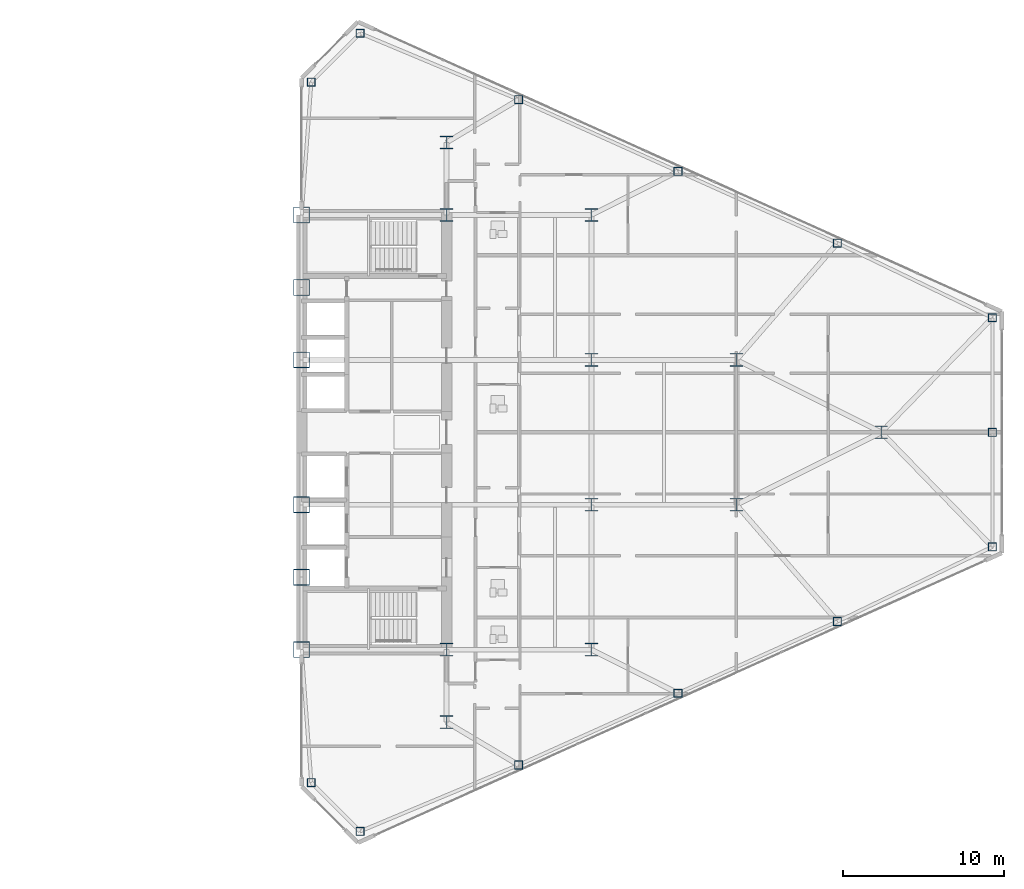
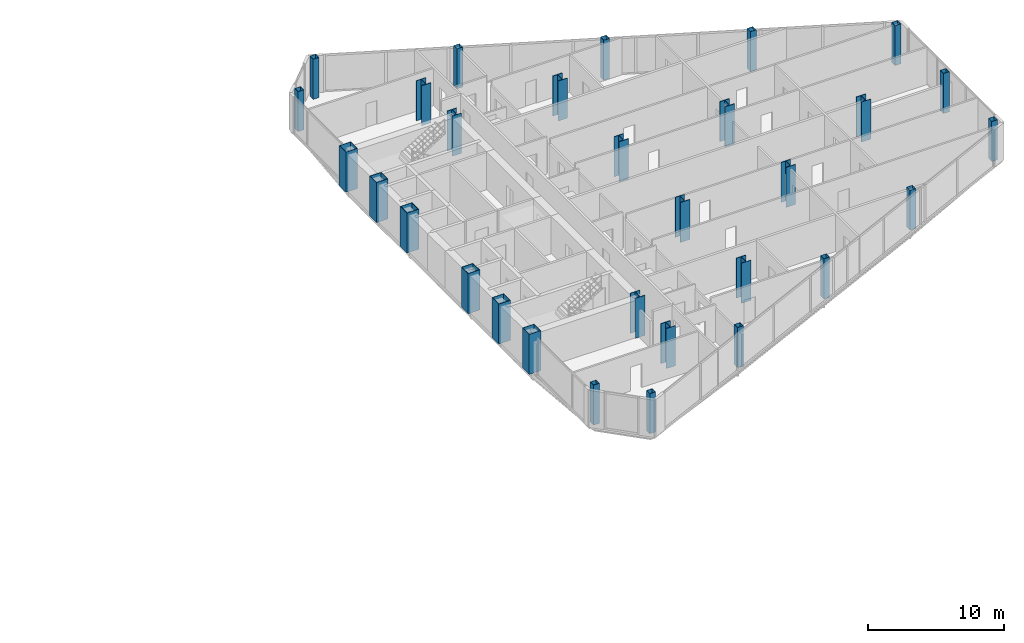
# One storey, part 2 of 27: 30 columns.
"""IFC4 building model written with IfcOpenShell, lengths in metres."""

from ifc_helpers import new_model, si_unit, direction, frame, origin, origin_2d, place, context, subcontext, project, spatial, hollow_rectangle, i_section, extrude, source, transform, mapped, material, material_profile, profile_set, type_object, type_shapes, element, save


model = new_model("IFC4")

# Units and contexts
model_context = context("Model", 3, precision=1e-05, world=origin(), true_north=direction((0.0, 1.0)))
body_context = subcontext(model_context, "Body", "Model", "MODEL_VIEW")
ifc_project = project(units=[si_unit("LENGTHUNIT", "METRE"), si_unit("AREAUNIT", "SQUARE_METRE"), si_unit("VOLUMEUNIT", "CUBIC_METRE"), si_unit("PLANEANGLEUNIT", "RADIAN"), si_unit("MASSUNIT", "GRAM", prefix="KILO")], contexts=[model_context])

# Site, building, storey
site_placement = place(None, origin())
site = spatial("IfcSite", under=ifc_project, at=site_placement, CompositionType="ELEMENT")
building_placement = place(site_placement, origin())
building = spatial("IfcBuilding", under=site, at=building_placement, Name="Seokmaru Belvedere", CompositionType="ELEMENT")
storey_placement = place(building_placement, frame((0.0, 0.0, 83.699951171875)))
storey = spatial("IfcBuildingStorey", under=building, at=storey_placement, Name="L22", CompositionType="ELEMENT", Elevation=83.699951171875)

# Columns
ifc_material_1 = material(Name="Steel SM355 (355 MPa)", Category="steel")
ifc_material_profile_1 = material_profile(ifc_material_1, hollow_rectangle(XDim=0.5, YDim=0.5, WallThickness=0.02001953125, at=origin_2d()), Name="HSS-500x500x20")
ifc_profile_set_1 = profile_set([ifc_material_profile_1], Name="Steel SM355 (355 MPa)")
column_type_1 = type_object("IfcColumnType", Name="Perimeter Facet Column HSS-500", PredefinedType="COLUMN", material=ifc_profile_set_1)
shared_shape_1 = source(origin(), body_context, "Body", "SweptSolid", [
    extrude(hollow_rectangle(XDim=0.5, YDim=0.5, WallThickness=0.02001953125, at=origin_2d()), origin(), (0.0, 0.0, 1.0), 3.60009765625),
])
type_shapes(column_type_1, [shared_shape_1])
for number, where, z_axis, x_axis, name in (
    (1, (31.13134765625, -24.782958984375, 0.0), (0.0, 0.0, 1.0), (1.0, 0.0, 0.0), "L22 Column EF1"),
    (2, (70.39990234375, -7.112060546875, 0.0), (0.0, 0.0, 1.0), (1.0, 0.0, 0.0), "L22 Column EF2"),
    (3, (70.39990234375, 7.112060546875, 0.0), (0.0, 0.0, 1.0), (1.0, 0.0, 0.0), "L22 Column EF3"),
    (4, (31.13134765625, 24.782958984375, 0.0), (0.0, 0.0, 1.0), (1.0, 0.0, 0.0), "L22 Column EF4"),
    (5, (28.10009765625, 21.75146484375, 0.0), (0.0, 0.0, 1.0), (1.0, 0.0, 0.0), "L22 Column EF5"),
    (6, (28.10009765625, -21.75146484375, 0.0), (0.0, 0.0, 1.0), (1.0, 0.0, 0.0), "L22 Column EF6"),
    (7, (40.97265625, -20.661376953125, 0.0), (0.0, 0.0, 1.0), (1.0, 0.0, 0.0), "L22 Column EFLK_S1"),
    (8, (50.875, -16.205322265625, 0.0), (0.0, 0.0, 1.0), (1.0, 0.0, 0.0), "L22 Column EFLK_S2"),
    (9, (60.777587890625, -11.749267578125, 0.0), (0.0, 0.0, 1.0), (1.0, 0.0, 0.0), "L22 Column EFLK_S3"),
    (10, (40.97265625, 20.661376953125, 0.0), (0.0, 0.0, 1.0), (1.0, 0.0, 0.0), "L22 Column EFLK_N1"),
    (11, (50.875, 16.205322265625, 0.0), (0.0, 0.0, 1.0), (1.0, 0.0, 0.0), "L22 Column EFLK_N2"),
    (12, (60.777587890625, 11.749267578125, 0.0), (0.0, 0.0, 1.0), (1.0, 0.0, 0.0), "L22 Column EFLK_N3"),
    (13, (70.39990234375, 0.0, 0.0), (0.0, 0.0, 1.0), (1.0, 0.0, 0.0), "L22 Column EF_APXM"),
):
    element("IfcColumn", number, at=place(storey_placement, frame(where, z_axis=z_axis, x_axis=x_axis)), inside=storey, type_object=column_type_1, Name=name, PredefinedType="COLUMN", context=body_context, shape_type="MappedRepresentation", body=[
        mapped(shared_shape_1, transform((0.0, 0.0, 0.0), scale=1.0)),
    ])
ifc_material_2 = material(Name="Steel HSA650 (650 MPa)", Category="steel")
ifc_material_profile_2 = material_profile(ifc_material_2, hollow_rectangle(XDim=1.0, YDim=1.0, WallThickness=0.0419921875, at=origin_2d()), Name="BOX-1000x1000x42")
ifc_profile_set_2 = profile_set([ifc_material_profile_2], Name="Steel HSA650 (650 MPa)")
column_type_2 = type_object("IfcColumnType", Name="Portal Spine Column BOX-1000", PredefinedType="COLUMN", material=ifc_profile_set_2)
shared_shape_2 = source(origin(), body_context, "Body", "SweptSolid", [
    extrude(hollow_rectangle(XDim=1.0, YDim=1.0, WallThickness=0.0419921875, at=origin_2d()), origin(), (0.0, 0.0, 1.0), 3.60009765625),
])
type_shapes(column_type_2, [shared_shape_2])
for number, where, z_axis, x_axis, name in (
    (14, (27.5, -13.5, 0.0), (0.0, 0.0, 1.0), (1.0, 0.0, 0.0), "L22 Column ES1"),
    (15, (27.5, -9.0, 0.0), (0.0, 0.0, 1.0), (1.0, 0.0, 0.0), "L22 Column ES2"),
    (16, (27.5, -4.5, 0.0), (0.0, 0.0, 1.0), (1.0, 0.0, 0.0), "L22 Column ES3"),
    (17, (27.5, 4.5, 0.0), (0.0, 0.0, 1.0), (1.0, 0.0, 0.0), "L22 Column ES4"),
    (18, (27.5, 9.0, 0.0), (0.0, 0.0, 1.0), (1.0, 0.0, 0.0), "L22 Column ES5"),
    (19, (27.5, 13.5, 0.0), (0.0, 0.0, 1.0), (1.0, 0.0, 0.0), "L22 Column ES6"),
):
    element("IfcColumn", number, at=place(storey_placement, frame(where, z_axis=z_axis, x_axis=x_axis)), inside=storey, type_object=column_type_2, Name=name, PredefinedType="COLUMN", context=body_context, shape_type="MappedRepresentation", body=[
        mapped(shared_shape_2, transform((0.0, 0.0, 0.0), scale=1.0)),
    ])
ifc_material_profile_3 = material_profile(ifc_material_1, i_section(OverallWidth=0.800048828125, OverallDepth=0.800048828125, WebThickness=0.031982421875, FlangeThickness=0.050048828125, at=origin_2d()), Name="H-800x800x32x50")
ifc_profile_set_3 = profile_set([ifc_material_profile_3], Name="Steel SM355 (355 MPa)")
column_type_3 = type_object("IfcColumnType", Name="Lower-Mid Interior Column H-800", PredefinedType="COLUMN", material=ifc_profile_set_3)
shared_shape_3 = source(origin(), body_context, "Body", "SweptSolid", [
    extrude(i_section(OverallWidth=0.800048828125, OverallDepth=0.800048828125, WebThickness=0.031982421875, FlangeThickness=0.050048828125, at=origin_2d()), origin(), (0.0, 0.0, 1.0), 3.60009765625),
])
type_shapes(column_type_3, [shared_shape_3])
for number, where, z_axis, x_axis, name in (
    (20, (36.5, -18.0, 0.0), (0.0, 0.0, 1.0), (1.0, 0.0, 0.0), "L22 Column EC1"),
    (21, (36.5, -13.5, 0.0), (0.0, 0.0, 1.0), (1.0, 0.0, 0.0), "L22 Column EC2"),
    (22, (36.5, 13.5, 0.0), (0.0, 0.0, 1.0), (1.0, 0.0, 0.0), "L22 Column EC3"),
    (23, (36.5, 18.0, 0.0), (0.0, 0.0, 1.0), (1.0, 0.0, 0.0), "L22 Column EC4"),
    (24, (45.5, -13.5, 0.0), (0.0, 0.0, 1.0), (1.0, 0.0, 0.0), "L22 Column EG5_1"),
    (25, (45.5, -4.5, 0.0), (0.0, 0.0, 1.0), (1.0, 0.0, 0.0), "L22 Column EG5_2"),
    (26, (45.5, 4.5, 0.0), (0.0, 0.0, 1.0), (1.0, 0.0, 0.0), "L22 Column EG5_3"),
    (27, (45.5, 13.5, 0.0), (0.0, 0.0, 1.0), (1.0, 0.0, 0.0), "L22 Column EG5_4"),
    (28, (54.5, -4.5, 0.0), (0.0, 0.0, 1.0), (1.0, 0.0, 0.0), "L22 Column EG4P_1"),
    (29, (54.5, 4.5, 0.0), (0.0, 0.0, 1.0), (1.0, 0.0, 0.0), "L22 Column EG4P_2"),
    (30, (63.5, 0.0, 0.0), (0.0, 0.0, 1.0), (1.0, 0.0, 0.0), "L22 Column EG3P_1"),
):
    element("IfcColumn", number, at=place(storey_placement, frame(where, z_axis=z_axis, x_axis=x_axis)), inside=storey, type_object=column_type_3, Name=name, PredefinedType="COLUMN", context=body_context, shape_type="MappedRepresentation", body=[
        mapped(shared_shape_3, transform((0.0, 0.0, 0.0), scale=1.0)),
    ])

save(model, "model.ifc")
